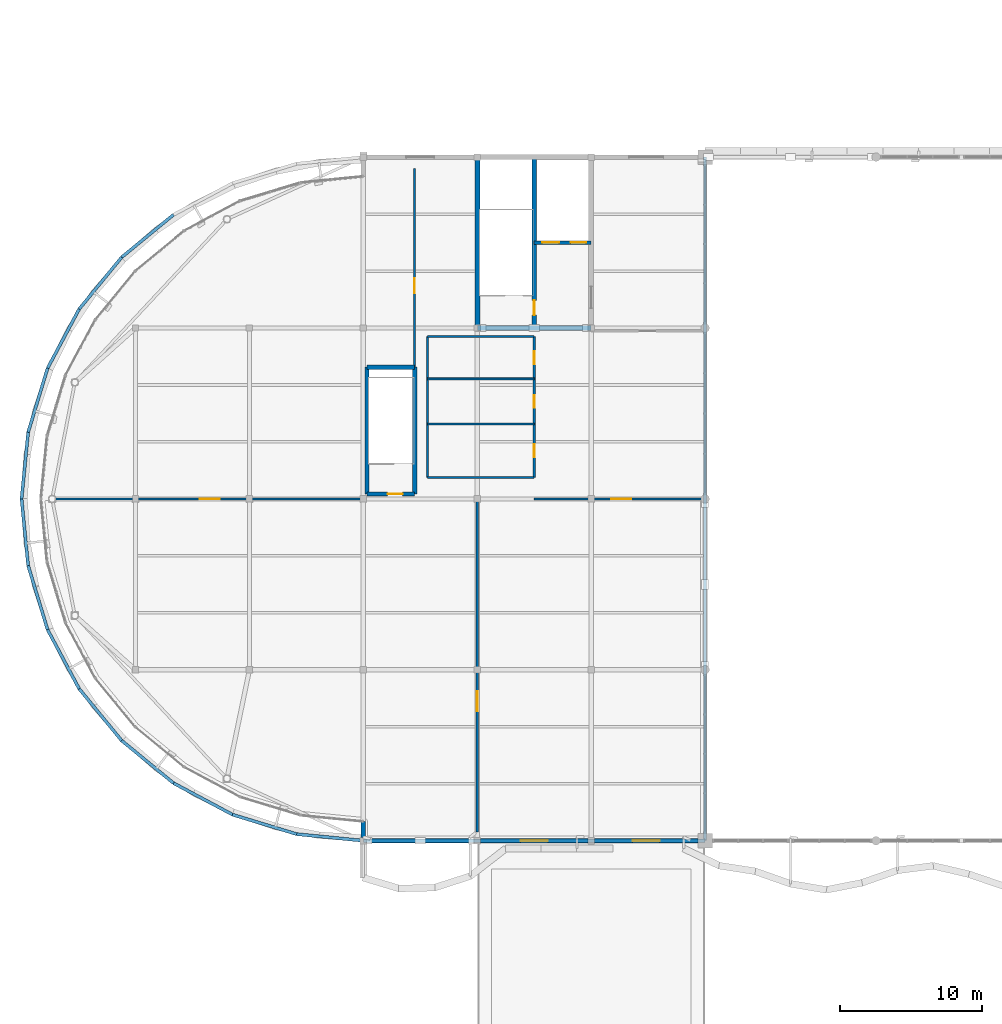
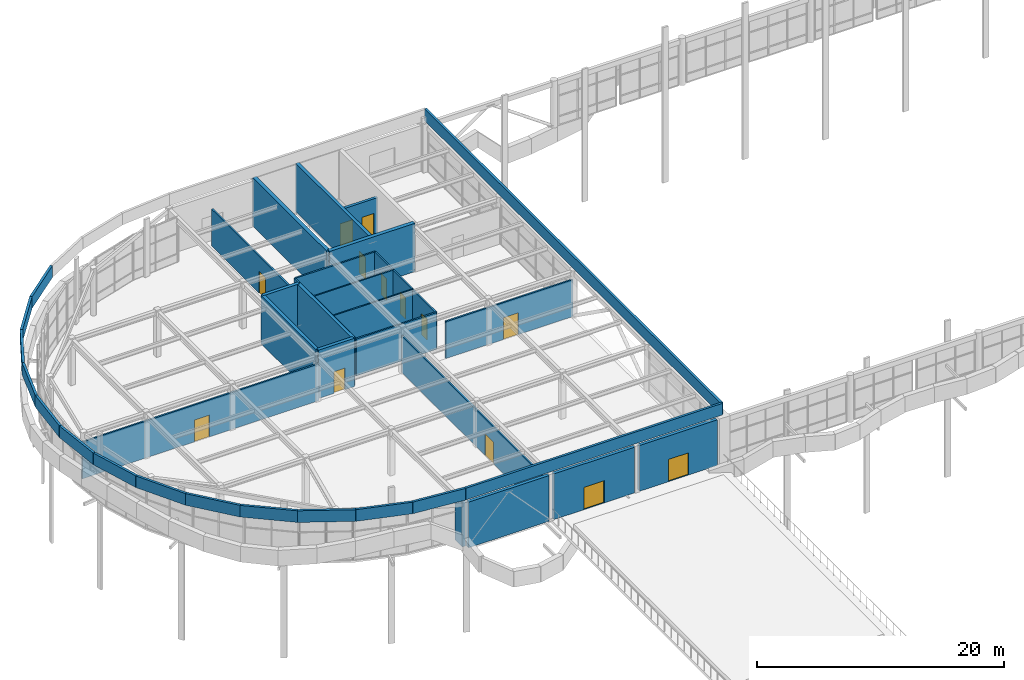
# One storey, part 44 of 63: 37 walls, 13 doors, 13 openings.
"""IFC4 building model written with IfcOpenShell, lengths in metres."""

from ifc_helpers import new_model, si_unit, direction, frame, frame_2d, origin, place, context, subcontext, project, spatial, rectangle, extrude, material, layer, layer_set, type_object, element, fill, save


model = new_model("IFC4")

# Units and contexts
model_context = context("Model", 3, precision=1e-05, world=origin(), true_north=direction((0.0, 1.0)))
body_context = subcontext(model_context, "Body", "Model", "MODEL_VIEW")
ifc_project = project(units=[si_unit("LENGTHUNIT", "METRE"), si_unit("AREAUNIT", "SQUARE_METRE"), si_unit("VOLUMEUNIT", "CUBIC_METRE"), si_unit("PLANEANGLEUNIT", "RADIAN"), si_unit("MASSUNIT", "GRAM", prefix="KILO")], contexts=[model_context])

# Site, building, storey
site_placement = place(None, origin())
site = spatial("IfcSite", under=ifc_project, at=site_placement, CompositionType="ELEMENT")
building_placement = place(site_placement, origin())
building = spatial("IfcBuilding", under=site, at=building_placement, Name="Keelwater Ferry Terminal", CompositionType="ELEMENT")
storey_placement = place(building_placement, frame((0.0, 0.0, 10.199951171875)))
storey = spatial("IfcBuildingStorey", under=building, at=storey_placement, Name="L02", CompositionType="ELEMENT", Elevation=10.199951171875)

# Walls
ifc_material_1 = material(Name="Precast concrete C40/50", Category="concrete")
ifc_layer_1 = layer(ifc_material_1, 0.300048828125)
ifc_layer_set_1 = layer_set([ifc_layer_1], Name="Precast concrete C40/50")
wall_type_1 = type_object("IfcWallType", Name="EW-PC300 External Solid Wall 300", PredefinedType="SOLIDWALL", material=ifc_layer_set_1)
wall_1_placement = place(storey_placement, frame((24.0, 43.35009765625, 0.0), z_axis=(0.0, 0.0, 1.0), x_axis=(0.0, -1.0, 0.0)))
element("IfcWall", 1, at=wall_1_placement, inside=storey, type_object=wall_type_1, Name="External Wall WL-L02-0026", PredefinedType="SOLIDWALL", context=body_context, shape_type="SweptSolid", body=[
    extrude(rectangle(XDim=1.125, YDim=0.300048828125, at=frame_2d((0.5625, 0.0))), origin(), (0.0, 0.0, 1.0), 4.52001953125),
])
wall_2_placement = place(storey_placement, frame((31.77490234375, 42.0, 0.0), z_axis=(0.0, 0.0, 1.0), x_axis=(-1.0, 0.0, 0.0)))
element("IfcWall", 2, at=wall_2_placement, inside=storey, type_object=wall_type_1, Name="External Wall WL-L02-0065", PredefinedType="SOLIDWALL", context=body_context, shape_type="SweptSolid", body=[
    extrude(rectangle(XDim=7.5498046875, YDim=0.300048828125, at=frame_2d((3.77490234375, 0.0))), origin(), (0.0, 0.0, 1.0), 4.52001953125),
])

# Wall, opening, door
wall_3_placement = place(storey_placement, frame((39.77490234375, 42.0, 0.0), z_axis=(0.0, 0.0, 1.0), x_axis=(-1.0, 0.0, 0.0)))
wall_3 = element("IfcWall", 3, at=wall_3_placement, inside=storey, type_object=wall_type_1, Name="External Wall WL-L02-0067", PredefinedType="SOLIDWALL", context=body_context, shape_type="SweptSolid", body=[
    extrude(rectangle(XDim=7.5498046875, YDim=0.300048828125, at=frame_2d((3.77490234375, 0.0))), origin(), (0.0, 0.0, 1.0), 4.52001953125),
])
opening_1_placement = place(wall_3_placement, frame((2.824951171875, 0.0, 0.0)))
opening_1 = element("IfcOpeningElement", 4, at=opening_1_placement, cuts=wall_3, Name="Opening TD-03", PredefinedType="OPENING", context=body_context, shape_type="SweptSolid", body=[
    extrude(rectangle(XDim=1.89990234375, YDim=2.199951171875, at=frame_2d((0.949951171875, 1.10009765625))), frame((0.0, 0.159912109375, 0.0), z_axis=(0.0, -1.0, 0.0), x_axis=(1.0, 0.0, 0.0)), (0.0, 0.0, 1.0), 0.320068359375),
])
ifc_material_2 = material(Name="Anodised aluminium and laminated safety glass", Category="aluminium")
door_type_1 = type_object("IfcDoorType", Name="TD-T1 Pedestrian Door 1900x2200", OperationType="DOUBLE_DOOR_SINGLE_SWING", PredefinedType="DOOR", material=ifc_material_2)
door_1_placement = place(opening_1_placement, origin())
door_1 = element("IfcDoor", 5, at=door_1_placement, inside=storey, type_object=door_type_1, Name="Door TD-03", OperationType="DOUBLE_DOOR_SINGLE_SWING", OverallHeight=2.199951171875, OverallWidth=1.89990234375, PredefinedType="DOOR", context=body_context, shape_type="SweptSolid", body=[
    extrude(rectangle(XDim=1.89990234375, YDim=2.199951171875, at=frame_2d((0.949951171875, 1.10009765625))), frame((0.0, 0.02490234375, 0.0), z_axis=(0.0, -1.0, 0.0), x_axis=(1.0, 0.0, 0.0)), (0.0, 0.0, 1.0), 0.050048828125),
])
fill(opening_1, door_1)

wall_4_placement = place(storey_placement, frame((47.5, 42.0, 0.0), z_axis=(0.0, 0.0, 1.0), x_axis=(-1.0, 0.0, 0.0)))
wall_4 = element("IfcWall", 6, at=wall_4_placement, inside=storey, type_object=wall_type_1, Name="External Wall WL-L02-0068", PredefinedType="SOLIDWALL", context=body_context, shape_type="SweptSolid", body=[
    extrude(rectangle(XDim=7.27490234375, YDim=0.300048828125, at=frame_2d((3.637451171875, 0.0))), origin(), (0.0, 0.0, 1.0), 4.52001953125),
])
opening_2_placement = place(wall_4_placement, frame((2.68701171875, 0.0, 0.0)))
opening_2 = element("IfcOpeningElement", 7, at=opening_2_placement, cuts=wall_4, Name="Opening TD-04", PredefinedType="OPENING", context=body_context, shape_type="SweptSolid", body=[
    extrude(rectangle(XDim=1.89990234375, YDim=2.199951171875, at=frame_2d((0.949951171875, 1.10009765625))), frame((0.0, 0.159912109375, 0.0), z_axis=(0.0, -1.0, 0.0), x_axis=(1.0, 0.0, 0.0)), (0.0, 0.0, 1.0), 0.320068359375),
])
door_2_placement = place(opening_2_placement, origin())
door_2 = element("IfcDoor", 8, at=door_2_placement, inside=storey, type_object=door_type_1, Name="Door TD-04", OperationType="DOUBLE_DOOR_SINGLE_SWING", OverallHeight=2.199951171875, OverallWidth=1.89990234375, PredefinedType="DOOR", context=body_context, shape_type="SweptSolid", body=[
    extrude(rectangle(XDim=1.89990234375, YDim=2.199951171875, at=frame_2d((0.949951171875, 1.10009765625))), frame((0.0, 0.02490234375, 0.0), z_axis=(0.0, -1.0, 0.0), x_axis=(1.0, 0.0, 0.0)), (0.0, 0.0, 1.0), 0.050048828125),
])
fill(opening_2, door_2)

# Wall, openings, doors
ifc_material_3 = material(Name="Concrete C40/50", Category="concrete")
ifc_layer_2 = layer(ifc_material_3, 0.25)
ifc_layer_set_2 = layer_set([ifc_layer_2], Name="Concrete C40/50")
wall_type_2 = type_object("IfcWallType", Name="IW-250 Solid Wall 250", PredefinedType="SOLIDWALL", material=ifc_layer_set_2)
wall_5_placement = place(storey_placement, frame((40.0, 84.0, 0.0), z_axis=(0.0, 0.0, 1.0), x_axis=(-1.0, 0.0, 0.0)))
wall_5 = element("IfcWall", 9, at=wall_5_placement, inside=storey, type_object=wall_type_2, Name="Interior Wall WL-INT-L02-0018", PredefinedType="SOLIDWALL", context=body_context, shape_type="SweptSolid", body=[
    extrude(rectangle(XDim=4.0, YDim=0.25, at=frame_2d((2.0, 0.0))), origin(), (0.0, 0.0, 1.0), 3.650146484375),
])
opening_3_placement = place(wall_5_placement, frame((0.35009765625, 0.0, 0.0)))
opening_3 = element("IfcOpeningElement", 10, at=opening_3_placement, cuts=wall_5, Name="Opening LD-005", PredefinedType="OPENING", context=body_context, shape_type="SweptSolid", body=[
    extrude(rectangle(XDim=1.10009765625, YDim=2.199951171875, at=frame_2d((0.550048828125, 1.10009765625))), frame((0.0, 0.135009765625, 0.0), z_axis=(0.0, -1.0, 0.0), x_axis=(1.0, 0.0, 0.0)), (0.0, 0.0, 1.0), 0.27001953125),
])
opening_4_placement = place(wall_5_placement, frame((2.25, 0.0, 0.0)))
opening_4 = element("IfcOpeningElement", 11, at=opening_4_placement, cuts=wall_5, Name="Opening LD-006", PredefinedType="OPENING", context=body_context, shape_type="SweptSolid", body=[
    extrude(rectangle(XDim=1.199951171875, YDim=2.199951171875, at=frame_2d((0.60009765625, 1.10009765625))), frame((0.0, 0.135009765625, 0.0), z_axis=(0.0, -1.0, 0.0), x_axis=(1.0, 0.0, 0.0)), (0.0, 0.0, 1.0), 0.27001953125),
])
ifc_material_4 = material(Name="Stainless steel sliding landing doors", Category="steel")
door_type_2 = type_object("IfcDoorType", Name="LD-T1 Lift Landing Door 1100x2200", OperationType="SLIDING_TO_LEFT", PredefinedType="USERDEFINED", material=ifc_material_4)
door_3_placement = place(opening_3_placement, origin())
door_3 = element("IfcDoor", 12, at=door_3_placement, inside=storey, type_object=door_type_2, Name="Door LD-005", ObjectType="LANDING DOOR", OperationType="SLIDING_TO_LEFT", OverallHeight=2.199951171875, OverallWidth=1.10009765625, PredefinedType="USERDEFINED", context=body_context, shape_type="SweptSolid", body=[
    extrude(rectangle(XDim=1.10009765625, YDim=2.199951171875, at=frame_2d((0.550048828125, 1.10009765625))), frame((0.0, 0.02490234375, 0.0), z_axis=(0.0, -1.0, 0.0), x_axis=(1.0, 0.0, 0.0)), (0.0, 0.0, 1.0), 0.050048828125),
])
fill(opening_3, door_3)
ifc_material_5 = material(Name="Stainless steel sliding landing doors", Category="steel")
door_type_3 = type_object("IfcDoorType", Name="LD-T2 Lift Landing Door 1200x2200", OperationType="DOUBLE_DOOR_SLIDING", PredefinedType="USERDEFINED", material=ifc_material_5)
door_4_placement = place(opening_4_placement, origin())
door_4 = element("IfcDoor", 13, at=door_4_placement, inside=storey, type_object=door_type_3, Name="Door LD-006", ObjectType="LANDING DOOR", OperationType="DOUBLE_DOOR_SLIDING", OverallHeight=2.199951171875, OverallWidth=1.199951171875, PredefinedType="USERDEFINED", context=body_context, shape_type="SweptSolid", body=[
    extrude(rectangle(XDim=1.199951171875, YDim=2.199951171875, at=frame_2d((0.60009765625, 1.10009765625))), frame((0.0, 0.02490234375, 0.0), z_axis=(0.0, -1.0, 0.0), x_axis=(1.0, 0.0, 0.0)), (0.0, 0.0, 1.0), 0.050048828125),
])
fill(opening_4, door_4)

# Walls
ifc_material_6 = material(Name="Gypsum board on acoustic steel stud", Category="steel")
ifc_layer_3 = layer(ifc_material_6, 0.125)
ifc_layer_set_3 = layer_set([ifc_layer_3], Name="Gypsum board on acoustic steel stud")
wall_type_3 = type_object("IfcWallType", Name="PT-125 Partition Wall 125", PredefinedType="PARTITIONING", material=ifc_layer_set_3)
for number, where, z_axis, x_axis, name in (
    (14, (28.5, 71.261962890625, 0.0), (0.0, 0.0, 1.0), (1.0, 0.0, 0.0), "Interior Wall WL-INT-L02-0164"),
    (15, (28.5, 74.429931640625, 0.0), (0.0, 0.0, 1.0), (1.0, 0.0, 0.0), "Interior Wall WL-INT-L02-0165"),
):
    element("IfcWall", number, at=place(storey_placement, frame(where, z_axis=z_axis, x_axis=x_axis)), inside=storey, type_object=wall_type_3, Name=name, PredefinedType="PARTITIONING", context=body_context, shape_type="SweptSolid", body=[
        extrude(rectangle(XDim=7.5, YDim=0.125, at=frame_2d((3.75, 0.0))), origin(), (0.0, 0.0, 1.0), 3.650146484375),
    ])
ifc_material_7 = material(Name="Gypsum board on acoustic steel stud", Category="steel")
ifc_layer_4 = layer(ifc_material_7, 0.14990234375)
ifc_layer_set_4 = layer_set([ifc_layer_4], Name="Gypsum board on acoustic steel stud")
wall_type_4 = type_object("IfcWallType", Name="PT-150 Partition Wall 150", PredefinedType="PARTITIONING", material=ifc_layer_set_4)
wall_6_placement = place(storey_placement, frame((28.5, 67.5, 0.0), z_axis=(0.0, 0.0, 1.0), x_axis=(0.0, 1.0, 0.0)))
element("IfcWall", 16, at=wall_6_placement, inside=storey, type_object=wall_type_4, Name="Interior Wall WL-INT-L02-0160", PredefinedType="PARTITIONING", context=body_context, shape_type="SweptSolid", body=[
    extrude(rectangle(XDim=9.89990234375, YDim=0.14990234375, at=frame_2d((4.949951171875, 0.0))), origin(), (0.0, 0.0, 1.0), 3.650146484375),
])

# Wall, openings, doors
wall_7_placement = place(storey_placement, frame((36.0, 67.5, 0.0), z_axis=(0.0, 0.0, 1.0), x_axis=(0.0, 1.0, 0.0)))
wall_7 = element("IfcWall", 17, at=wall_7_placement, inside=storey, type_object=wall_type_4, Name="Interior Wall WL-INT-L02-0161", PredefinedType="PARTITIONING", context=body_context, shape_type="SweptSolid", body=[
    extrude(rectangle(XDim=9.89990234375, YDim=0.14990234375, at=frame_2d((4.949951171875, 0.0))), origin(), (0.0, 0.0, 1.0), 3.650146484375),
])
opening_5_placement = place(wall_7_placement, frame((1.430908203125, 0.0, 0.0)))
opening_5 = element("IfcOpeningElement", 18, at=opening_5_placement, cuts=wall_7, Name="Opening WD-007", PredefinedType="OPENING", context=body_context, shape_type="SweptSolid", body=[
    extrude(rectangle(XDim=0.89990234375, YDim=2.10009765625, at=frame_2d((0.449951171875, 1.050048828125))), frame((0.0, 0.0849609375, 0.0), z_axis=(0.0, -1.0, 0.0), x_axis=(1.0, 0.0, 0.0)), (0.0, 0.0, 1.0), 0.169921875),
])
opening_6_placement = place(wall_7_placement, frame((4.89599609375, 0.0, 0.0)))
opening_6 = element("IfcOpeningElement", 19, at=opening_6_placement, cuts=wall_7, Name="Opening WD-008", PredefinedType="OPENING", context=body_context, shape_type="SweptSolid", body=[
    extrude(rectangle(XDim=0.89990234375, YDim=2.10009765625, at=frame_2d((0.449951171875, 1.050048828125))), frame((0.0, 0.0849609375, 0.0), z_axis=(0.0, -1.0, 0.0), x_axis=(1.0, 0.0, 0.0)), (0.0, 0.0, 1.0), 0.169921875),
])
opening_7_placement = place(wall_7_placement, frame((7.955078125, 0.0, 0.0)))
opening_7 = element("IfcOpeningElement", 20, at=opening_7_placement, cuts=wall_7, Name="Opening WD-009", PredefinedType="OPENING", context=body_context, shape_type="SweptSolid", body=[
    extrude(rectangle(XDim=0.919921875, YDim=2.10009765625, at=frame_2d((0.4599609375, 1.050048828125))), frame((0.0, 0.0849609375, 0.0), z_axis=(0.0, -1.0, 0.0), x_axis=(1.0, 0.0, 0.0)), (0.0, 0.0, 1.0), 0.169921875),
])
ifc_material_8 = material(Name="Acoustic oak and fire-rated steel frame door", Category="steel")
door_type_4 = type_object("IfcDoorType", Name="ID-09 Pedestrian Door 920x2100", OperationType="NOTDEFINED", PredefinedType="DOOR", material=ifc_material_8)
door_5_placement = place(opening_7_placement, origin())
door_5 = element("IfcDoor", 21, at=door_5_placement, inside=storey, type_object=door_type_4, Name="Door WD-009", OperationType="SINGLE_SWING_LEFT", OverallHeight=2.10009765625, OverallWidth=0.919921875, PredefinedType="DOOR", context=body_context, shape_type="SweptSolid", body=[
    extrude(rectangle(XDim=0.919921875, YDim=2.10009765625, at=frame_2d((0.4599609375, 1.050048828125))), frame((0.0, 0.02490234375, 0.0), z_axis=(0.0, -1.0, 0.0), x_axis=(1.0, 0.0, 0.0)), (0.0, 0.0, 1.0), 0.050048828125),
])
fill(opening_7, door_5)
ifc_material_9 = material(Name="Acoustic oak and fire-rated steel frame door", Category="steel")
door_type_5 = type_object("IfcDoorType", Name="ID-10 Pedestrian Door 900x2100", OperationType="NOTDEFINED", PredefinedType="DOOR", material=ifc_material_9)
door_6_placement = place(opening_5_placement, origin())
door_6 = element("IfcDoor", 22, at=door_6_placement, inside=storey, type_object=door_type_5, Name="Door WD-007", OperationType="SINGLE_SWING_LEFT", OverallHeight=2.10009765625, OverallWidth=0.89990234375, PredefinedType="DOOR", context=body_context, shape_type="SweptSolid", body=[
    extrude(rectangle(XDim=0.89990234375, YDim=2.10009765625, at=frame_2d((0.449951171875, 1.050048828125))), frame((0.0, 0.02490234375, 0.0), z_axis=(0.0, -1.0, 0.0), x_axis=(1.0, 0.0, 0.0)), (0.0, 0.0, 1.0), 0.050048828125),
])
fill(opening_5, door_6)
door_7_placement = place(opening_6_placement, origin())
door_7 = element("IfcDoor", 23, at=door_7_placement, inside=storey, type_object=door_type_5, Name="Door WD-008", OperationType="SINGLE_SWING_RIGHT", OverallHeight=2.10009765625, OverallWidth=0.89990234375, PredefinedType="DOOR", context=body_context, shape_type="SweptSolid", body=[
    extrude(rectangle(XDim=0.89990234375, YDim=2.10009765625, at=frame_2d((0.449951171875, 1.050048828125))), frame((0.0, 0.02490234375, 0.0), z_axis=(0.0, -1.0, 0.0), x_axis=(1.0, 0.0, 0.0)), (0.0, 0.0, 1.0), 0.050048828125),
])
fill(opening_6, door_7)

# Walls
for number, where, z_axis, x_axis, name in (
    (24, (28.5, 77.39990234375, 0.0), (0.0, 0.0, 1.0), (1.0, 0.0, 0.0), "Interior Wall WL-INT-L02-0162"),
    (25, (28.5, 67.5, 0.0), (0.0, 0.0, 1.0), (1.0, 0.0, 0.0), "Interior Wall WL-INT-L02-0163"),
):
    element("IfcWall", number, at=place(storey_placement, frame(where, z_axis=z_axis, x_axis=x_axis)), inside=storey, type_object=wall_type_4, Name=name, PredefinedType="PARTITIONING", context=body_context, shape_type="SweptSolid", body=[
        extrude(rectangle(XDim=7.5, YDim=0.14990234375, at=frame_2d((3.75, 0.0))), origin(), (0.0, 0.0, 1.0), 3.650146484375),
    ])

# Wall, opening, door
wall_8_placement = place(storey_placement, frame((32.0, 42.60009765625, 0.0), z_axis=(0.0, 0.0, 1.0), x_axis=(0.0, 1.0, 0.0)))
wall_8 = element("IfcWall", 26, at=wall_8_placement, inside=storey, type_object=wall_type_4, Name="Interior Wall WL-INT-L02-0251", PredefinedType="PARTITIONING", context=body_context, shape_type="SweptSolid", body=[
    extrude(rectangle(XDim=23.39990234375, YDim=0.14990234375, at=frame_2d((11.699951171875, 0.0))), origin(), (0.0, 0.0, 1.0), 3.650146484375),
])
opening_8_placement = place(wall_8_placement, frame((8.5, 0.0, 0.0)))
opening_8 = element("IfcOpeningElement", 27, at=opening_8_placement, cuts=wall_8, Name="Opening DR-032", PredefinedType="OPENING", context=body_context, shape_type="SweptSolid", body=[
    extrude(rectangle(XDim=1.39990234375, YDim=2.14990234375, at=frame_2d((0.699951171875, 1.074951171875))), frame((0.0, 0.0849609375, 0.0), z_axis=(0.0, -1.0, 0.0), x_axis=(1.0, 0.0, 0.0)), (0.0, 0.0, 1.0), 0.169921875),
])
ifc_material_10 = material(Name="Acoustic oak and fire-rated steel frame door", Category="steel")
door_type_6 = type_object("IfcDoorType", Name="ID-03 Pedestrian Door 1400x2150", OperationType="DOUBLE_DOOR_SINGLE_SWING", PredefinedType="DOOR", material=ifc_material_10)
door_8_placement = place(opening_8_placement, origin())
door_8 = element("IfcDoor", 28, at=door_8_placement, inside=storey, type_object=door_type_6, Name="Door DR-032", OperationType="DOUBLE_DOOR_SINGLE_SWING", OverallHeight=2.14990234375, OverallWidth=1.39990234375, PredefinedType="DOOR", context=body_context, shape_type="SweptSolid", body=[
    extrude(rectangle(XDim=1.39990234375, YDim=2.14990234375, at=frame_2d((0.699951171875, 1.074951171875))), frame((0.0, 0.02490234375, 0.0), z_axis=(0.0, -1.0, 0.0), x_axis=(1.0, 0.0, 0.0)), (0.0, 0.0, 1.0), 0.050048828125),
])
fill(opening_8, door_8)

wall_9_placement = place(storey_placement, frame((2.0, 66.0, 0.0), z_axis=(0.0, 0.0, 1.0), x_axis=(1.0, 0.0, 0.0)))
wall_9 = element("IfcWall", 29, at=wall_9_placement, inside=storey, type_object=wall_type_4, Name="Interior Wall WL-INT-L02-0252", PredefinedType="PARTITIONING", context=body_context, shape_type="SweptSolid", body=[
    extrude(rectangle(XDim=22.14990234375, YDim=0.14990234375, at=frame_2d((11.074951171875, 0.0))), origin(), (0.0, 0.0, 1.0), 3.650146484375),
])
opening_9_placement = place(wall_9_placement, frame((10.5, 0.0, 0.0)))
opening_9 = element("IfcOpeningElement", 30, at=opening_9_placement, cuts=wall_9, Name="Opening DR-033", PredefinedType="OPENING", context=body_context, shape_type="SweptSolid", body=[
    extrude(rectangle(XDim=1.39990234375, YDim=2.14990234375, at=frame_2d((0.699951171875, 1.074951171875))), frame((0.0, 0.0849609375, 0.0), z_axis=(0.0, -1.0, 0.0), x_axis=(1.0, 0.0, 0.0)), (0.0, 0.0, 1.0), 0.169921875),
])
door_9_placement = place(opening_9_placement, origin())
door_9 = element("IfcDoor", 31, at=door_9_placement, inside=storey, type_object=door_type_6, Name="Door DR-033", OperationType="DOUBLE_DOOR_SINGLE_SWING", OverallHeight=2.14990234375, OverallWidth=1.39990234375, PredefinedType="DOOR", context=body_context, shape_type="SweptSolid", body=[
    extrude(rectangle(XDim=1.39990234375, YDim=2.14990234375, at=frame_2d((0.699951171875, 1.074951171875))), frame((0.0, 0.02490234375, 0.0), z_axis=(0.0, -1.0, 0.0), x_axis=(1.0, 0.0, 0.0)), (0.0, 0.0, 1.0), 0.050048828125),
])
fill(opening_9, door_9)

wall_10_placement = place(storey_placement, frame((27.60009765625, 75.25, 0.0), z_axis=(0.0, 0.0, 1.0), x_axis=(0.0, 1.0, 0.0)))
wall_10 = element("IfcWall", 32, at=wall_10_placement, inside=storey, type_object=wall_type_4, Name="Interior Wall WL-INT-L02-0253", PredefinedType="PARTITIONING", context=body_context, shape_type="SweptSolid", body=[
    extrude(rectangle(XDim=13.949951171875, YDim=0.14990234375, at=frame_2d((6.97509765625, 0.0))), origin(), (0.0, 0.0, 1.0), 3.650146484375),
])
opening_10_placement = place(wall_10_placement, frame((5.199951171875, 0.0, 0.0)))
opening_10 = element("IfcOpeningElement", 33, at=opening_10_placement, cuts=wall_10, Name="Opening DR-034", PredefinedType="OPENING", context=body_context, shape_type="SweptSolid", body=[
    extrude(rectangle(XDim=1.050048828125, YDim=2.14990234375, at=frame_2d((0.52490234375, 1.074951171875))), frame((0.0, 0.0849609375, 0.0), z_axis=(0.0, -1.0, 0.0), x_axis=(1.0, 0.0, 0.0)), (0.0, 0.0, 1.0), 0.169921875),
])
ifc_material_11 = material(Name="Acoustic oak and fire-rated steel frame door", Category="steel")
door_type_7 = type_object("IfcDoorType", Name="ID-06 Pedestrian Door 1050x2150", OperationType="NOTDEFINED", PredefinedType="DOOR", material=ifc_material_11)
door_10_placement = place(opening_10_placement, origin())
door_10 = element("IfcDoor", 34, at=door_10_placement, inside=storey, type_object=door_type_7, Name="Door DR-034", OperationType="SINGLE_SWING_RIGHT", OverallHeight=2.14990234375, OverallWidth=1.050048828125, PredefinedType="DOOR", context=body_context, shape_type="SweptSolid", body=[
    extrude(rectangle(XDim=1.050048828125, YDim=2.14990234375, at=frame_2d((0.52490234375, 1.074951171875))), frame((0.0, 0.02490234375, 0.0), z_axis=(0.0, -1.0, 0.0), x_axis=(1.0, 0.0, 0.0)), (0.0, 0.0, 1.0), 0.050048828125),
])
fill(opening_10, door_10)

wall_11_placement = place(storey_placement, frame((36.0, 66.0, 0.0), z_axis=(0.0, 0.0, 1.0), x_axis=(1.0, 0.0, 0.0)))
wall_11 = element("IfcWall", 35, at=wall_11_placement, inside=storey, type_object=wall_type_4, Name="Interior Wall WL-INT-L02-0255", PredefinedType="PARTITIONING", context=body_context, shape_type="SweptSolid", body=[
    extrude(rectangle(XDim=11.89990234375, YDim=0.14990234375, at=frame_2d((5.949951171875, 0.0))), origin(), (0.0, 0.0, 1.0), 3.650146484375),
])
opening_11_placement = place(wall_11_placement, frame((5.39990234375, 0.0, 0.0)))
opening_11 = element("IfcOpeningElement", 36, at=opening_11_placement, cuts=wall_11, Name="Opening DR-036", PredefinedType="OPENING", context=body_context, shape_type="SweptSolid", body=[
    extrude(rectangle(XDim=1.39990234375, YDim=2.14990234375, at=frame_2d((0.699951171875, 1.074951171875))), frame((0.0, 0.0849609375, 0.0), z_axis=(0.0, -1.0, 0.0), x_axis=(1.0, 0.0, 0.0)), (0.0, 0.0, 1.0), 0.169921875),
])
door_11_placement = place(opening_11_placement, origin())
door_11 = element("IfcDoor", 37, at=door_11_placement, inside=storey, type_object=door_type_6, Name="Door DR-036", OperationType="DOUBLE_DOOR_SINGLE_SWING", OverallHeight=2.14990234375, OverallWidth=1.39990234375, PredefinedType="DOOR", context=body_context, shape_type="SweptSolid", body=[
    extrude(rectangle(XDim=1.39990234375, YDim=2.14990234375, at=frame_2d((0.699951171875, 1.074951171875))), frame((0.0, 0.02490234375, 0.0), z_axis=(0.0, -1.0, 0.0), x_axis=(1.0, 0.0, 0.0)), (0.0, 0.0, 1.0), 0.050048828125),
])
fill(opening_11, door_11)

# Walls
ifc_material_12 = material(Name="Precast concrete C40/50", Category="concrete")
ifc_layer_5 = layer(ifc_material_12, 0.219970703125)
ifc_layer_set_5 = layer_set([ifc_layer_5], Name="Precast concrete C40/50")
wall_type_5 = type_object("IfcWallType", Name="PW-220 Roof Parapet 220", PredefinedType="PARAPET", material=ifc_layer_set_5)
for number, where, z_axis, x_axis, name in (
    (38, (10.666015625, 85.955078125, 4.800048828125), (0.0, 0.0, 1.0), (-0.773077938027, -0.634311044942, 0.0), "Roof Parapet 10"),
    (39, (7.029052734375, 82.970947265625, 4.800048828125), (0.0, 0.0, 1.0), (-0.634311044942, -0.773077938027, 0.0), "Roof Parapet 11"),
):
    element("IfcWall", number, at=place(storey_placement, frame(where, z_axis=z_axis, x_axis=x_axis)), inside=storey, type_object=wall_type_5, Name=name, PredefinedType="PARAPET", context=body_context, shape_type="SweptSolid", body=[
        extrude(rectangle(XDim=4.70458984375, YDim=0.219970703125, at=frame_2d((2.352294921875, 0.0))), origin(), (0.0, 0.0, 1.0), 1.14990234375),
    ])
wall_12_placement = place(storey_placement, frame((4.044921875, 79.333984375, 4.800048828125), z_axis=(0.0, 0.0, 1.0), x_axis=(-0.471371704829, -0.881934643773, 0.0)))
element("IfcWall", 40, at=wall_12_placement, inside=storey, type_object=wall_type_5, Name="Roof Parapet 12", PredefinedType="PARAPET", context=body_context, shape_type="SweptSolid", body=[
    extrude(rectangle(XDim=4.70556640625, YDim=0.219970703125, at=frame_2d((2.352783203125, 0.0))), origin(), (0.0, 0.0, 1.0), 1.14990234375),
])
wall_13_placement = place(storey_placement, frame((1.826904296875, 75.18408203125, 4.800048828125), z_axis=(0.0, 0.0, 1.0), x_axis=(-0.290331426072, -0.956926153386, 0.0)))
element("IfcWall", 41, at=wall_13_placement, inside=storey, type_object=wall_type_5, Name="Roof Parapet 13", PredefinedType="PARAPET", context=body_context, shape_type="SweptSolid", body=[
    extrude(rectangle(XDim=4.704833984375, YDim=0.219970703125, at=frame_2d((2.3525390625, 0.0))), origin(), (0.0, 0.0, 1.0), 1.14990234375),
])
for number, where, z_axis, x_axis, name in (
    (42, (0.4609375, 70.681884765625, 4.800048828125), (0.0, 0.0, 1.0), (-0.097977583466, -0.995188621889, 0.0), "Roof Parapet 14"),
    (43, (0.0, 66.0, 4.800048828125), (0.0, 0.0, 1.0), (0.097977583466, -0.995188621889, 0.0), "Roof Parapet 15"),
):
    element("IfcWall", number, at=place(storey_placement, frame(where, z_axis=z_axis, x_axis=x_axis)), inside=storey, type_object=wall_type_5, Name=name, PredefinedType="PARAPET", context=body_context, shape_type="SweptSolid", body=[
        extrude(rectangle(XDim=4.70458984375, YDim=0.219970703125, at=frame_2d((2.352294921875, 0.0))), origin(), (0.0, 0.0, 1.0), 1.14990234375),
    ])
wall_14_placement = place(storey_placement, frame((0.4609375, 61.318115234375, 4.800048828125), z_axis=(0.0, 0.0, 1.0), x_axis=(0.290331426072, -0.956926153386, 0.0)))
element("IfcWall", 44, at=wall_14_placement, inside=storey, type_object=wall_type_5, Name="Roof Parapet 16", PredefinedType="PARAPET", context=body_context, shape_type="SweptSolid", body=[
    extrude(rectangle(XDim=4.704833984375, YDim=0.219970703125, at=frame_2d((2.3525390625, 0.0))), origin(), (0.0, 0.0, 1.0), 1.14990234375),
])
wall_15_placement = place(storey_placement, frame((1.826904296875, 56.81591796875, 4.800048828125), z_axis=(0.0, 0.0, 1.0), x_axis=(0.471371704829, -0.881934643773, 0.0)))
element("IfcWall", 45, at=wall_15_placement, inside=storey, type_object=wall_type_5, Name="Roof Parapet 17", PredefinedType="PARAPET", context=body_context, shape_type="SweptSolid", body=[
    extrude(rectangle(XDim=4.70556640625, YDim=0.219970703125, at=frame_2d((2.352783203125, 0.0))), origin(), (0.0, 0.0, 1.0), 1.14990234375),
])
for number, where, z_axis, x_axis, name in (
    (46, (4.044921875, 52.666015625, 4.800048828125), (0.0, 0.0, 1.0), (0.634311044942, -0.773077938027, 0.0), "Roof Parapet 18"),
    (47, (7.029052734375, 49.029052734375, 4.800048828125), (0.0, 0.0, 1.0), (0.773077938027, -0.634311044942, 0.0), "Roof Parapet 19"),
):
    element("IfcWall", number, at=place(storey_placement, frame(where, z_axis=z_axis, x_axis=x_axis)), inside=storey, type_object=wall_type_5, Name=name, PredefinedType="PARAPET", context=body_context, shape_type="SweptSolid", body=[
        extrude(rectangle(XDim=4.70458984375, YDim=0.219970703125, at=frame_2d((2.352294921875, 0.0))), origin(), (0.0, 0.0, 1.0), 1.14990234375),
    ])
wall_16_placement = place(storey_placement, frame((10.666015625, 46.044921875, 4.800048828125), z_axis=(0.0, 0.0, 1.0), x_axis=(0.881934643773, -0.471371704829, 0.0)))
element("IfcWall", 48, at=wall_16_placement, inside=storey, type_object=wall_type_5, Name="Roof Parapet 20", PredefinedType="PARAPET", context=body_context, shape_type="SweptSolid", body=[
    extrude(rectangle(XDim=4.70556640625, YDim=0.219970703125, at=frame_2d((2.352783203125, 0.0))), origin(), (0.0, 0.0, 1.0), 1.14990234375),
])
wall_17_placement = place(storey_placement, frame((14.81591796875, 43.826904296875, 4.800048828125), z_axis=(0.0, 0.0, 1.0), x_axis=(0.956926153386, -0.290331426072, 0.0)))
element("IfcWall", 49, at=wall_17_placement, inside=storey, type_object=wall_type_5, Name="Roof Parapet 21", PredefinedType="PARAPET", context=body_context, shape_type="SweptSolid", body=[
    extrude(rectangle(XDim=4.704833984375, YDim=0.219970703125, at=frame_2d((2.3525390625, 0.0))), origin(), (0.0, 0.0, 1.0), 1.14990234375),
])
wall_18_placement = place(storey_placement, frame((19.318115234375, 42.4609375, 4.800048828125), z_axis=(0.0, 0.0, 1.0), x_axis=(0.995188621889, -0.097977583466, 0.0)))
element("IfcWall", 50, at=wall_18_placement, inside=storey, type_object=wall_type_5, Name="Roof Parapet 22", PredefinedType="PARAPET", context=body_context, shape_type="SweptSolid", body=[
    extrude(rectangle(XDim=4.70458984375, YDim=0.219970703125, at=frame_2d((2.352294921875, 0.0))), origin(), (0.0, 0.0, 1.0), 1.14990234375),
])
wall_19_placement = place(storey_placement, frame((24.0, 42.0, 4.800048828125), z_axis=(0.0, 0.0, 1.0), x_axis=(1.0, 0.0, 0.0)))
element("IfcWall", 51, at=wall_19_placement, inside=storey, type_object=wall_type_5, Name="Roof Parapet 23", PredefinedType="PARAPET", context=body_context, shape_type="SweptSolid", body=[
    extrude(rectangle(XDim=24.0, YDim=0.219970703125, at=frame_2d((12.0, 0.0))), origin(), (0.0, 0.0, 1.0), 1.14990234375),
])
wall_20_placement = place(storey_placement, frame((48.0, 42.0, 4.800048828125), z_axis=(0.0, 0.0, 1.0), x_axis=(0.0, 1.0, 0.0)))
element("IfcWall", 52, at=wall_20_placement, inside=storey, type_object=wall_type_5, Name="Roof Parapet 24", PredefinedType="PARAPET", context=body_context, shape_type="SweptSolid", body=[
    extrude(rectangle(XDim=48.0, YDim=0.219970703125, at=frame_2d((24.0, 0.0))), origin(), (0.0, 0.0, 1.0), 1.14990234375),
])

# Wall, opening, door
ifc_material_13 = material(Name="Concrete C45/55", Category="concrete")
ifc_layer_6 = layer(ifc_material_13, 0.300048828125)
ifc_layer_set_6 = layer_set([ifc_layer_6], Name="Concrete C45/55")
wall_type_6 = type_object("IfcWallType", Name="SW-300 Shear Wall 300", PredefinedType="SHEAR", material=ifc_layer_set_6)
wall_21_placement = place(storey_placement, frame((36.0, 90.0, 0.0), z_axis=(0.0, 0.0, 1.0), x_axis=(0.0, -1.0, 0.0)))
wall_21 = element("IfcWall", 53, at=wall_21_placement, inside=storey, type_object=wall_type_6, Name="Interior Wall WL-INT-L02-0017", PredefinedType="SHEAR", context=body_context, shape_type="SweptSolid", body=[
    extrude(rectangle(XDim=12.0, YDim=0.300048828125, at=frame_2d((6.0, 0.0))), origin(), (0.0, 0.0, 1.0), 4.780029296875),
])
opening_12_placement = place(wall_21_placement, frame((10.050048828125, 0.0, 0.0)))
opening_12 = element("IfcOpeningElement", 54, at=opening_12_placement, cuts=wall_21, Name="Opening FD-005", PredefinedType="OPENING", context=body_context, shape_type="SweptSolid", body=[
    extrude(rectangle(XDim=1.050048828125, YDim=2.14990234375, at=frame_2d((0.52490234375, 1.074951171875))), frame((0.0, 0.159912109375, 0.0), z_axis=(0.0, -1.0, 0.0), x_axis=(1.0, 0.0, 0.0)), (0.0, 0.0, 1.0), 0.320068359375),
])
door_12_placement = place(opening_12_placement, origin())
door_12 = element("IfcDoor", 55, at=door_12_placement, inside=storey, type_object=door_type_7, Name="Door FD-005", OperationType="SINGLE_SWING_LEFT", OverallHeight=2.14990234375, OverallWidth=1.050048828125, PredefinedType="DOOR", context=body_context, shape_type="SweptSolid", body=[
    extrude(rectangle(XDim=1.050048828125, YDim=2.14990234375, at=frame_2d((0.52490234375, 1.074951171875))), frame((0.0, 0.02490234375, 0.0), z_axis=(0.0, -1.0, 0.0), x_axis=(1.0, 0.0, 0.0)), (0.0, 0.0, 1.0), 0.050048828125),
])
fill(opening_12, door_12)

wall_22_placement = place(storey_placement, frame((24.25, 66.35009765625, 0.0), z_axis=(0.0, 0.0, 1.0), x_axis=(1.0, 0.0, 0.0)))
wall_22 = element("IfcWall", 56, at=wall_22_placement, inside=storey, type_object=wall_type_6, Name="Interior Wall WL-INT-L02-0131", PredefinedType="SHEAR", context=body_context, shape_type="SweptSolid", body=[
    extrude(rectangle(XDim=3.35009765625, YDim=0.300048828125, at=frame_2d((1.675048828125, 0.0))), origin(), (0.0, 0.0, 1.0), 4.780029296875),
])
opening_13_placement = place(wall_22_placement, frame((1.449951171875, 0.0, 0.0)))
opening_13 = element("IfcOpeningElement", 57, at=opening_13_placement, cuts=wall_22, Name="Opening FD-041", PredefinedType="OPENING", context=body_context, shape_type="SweptSolid", body=[
    extrude(rectangle(XDim=1.050048828125, YDim=2.14990234375, at=frame_2d((0.52490234375, 1.074951171875))), frame((0.0, 0.159912109375, 0.0), z_axis=(0.0, -1.0, 0.0), x_axis=(1.0, 0.0, 0.0)), (0.0, 0.0, 1.0), 0.320068359375),
])
door_13_placement = place(opening_13_placement, origin())
door_13 = element("IfcDoor", 58, at=door_13_placement, inside=storey, type_object=door_type_7, Name="Door FD-041", OperationType="SINGLE_SWING_RIGHT", OverallHeight=2.14990234375, OverallWidth=1.050048828125, PredefinedType="DOOR", context=body_context, shape_type="SweptSolid", body=[
    extrude(rectangle(XDim=1.050048828125, YDim=2.14990234375, at=frame_2d((0.52490234375, 1.074951171875))), frame((0.0, 0.02490234375, 0.0), z_axis=(0.0, -1.0, 0.0), x_axis=(1.0, 0.0, 0.0)), (0.0, 0.0, 1.0), 0.050048828125),
])
fill(opening_13, door_13)

# Walls
wall_23_placement = place(storey_placement, frame((24.25, 75.25, 0.0), z_axis=(0.0, 0.0, 1.0), x_axis=(1.0, 0.0, 0.0)))
element("IfcWall", 59, at=wall_23_placement, inside=storey, type_object=wall_type_6, Name="Interior Wall WL-INT-L02-0132", PredefinedType="SHEAR", context=body_context, shape_type="SweptSolid", body=[
    extrude(rectangle(XDim=3.35009765625, YDim=0.300048828125, at=frame_2d((1.675048828125, 0.0))), origin(), (0.0, 0.0, 1.0), 4.780029296875),
])
for number, where, z_axis, x_axis, name in (
    (60, (24.25, 66.35009765625, 0.0), (0.0, 0.0, 1.0), (0.0, 1.0, 0.0), "Interior Wall WL-INT-L02-0133"),
    (61, (27.60009765625, 66.35009765625, 0.0), (0.0, 0.0, 1.0), (0.0, 1.0, 0.0), "Interior Wall WL-INT-L02-0134"),
):
    element("IfcWall", number, at=place(storey_placement, frame(where, z_axis=z_axis, x_axis=x_axis)), inside=storey, type_object=wall_type_6, Name=name, PredefinedType="SHEAR", context=body_context, shape_type="SweptSolid", body=[
        extrude(rectangle(XDim=8.89990234375, YDim=0.300048828125, at=frame_2d((4.449951171875, 0.0))), origin(), (0.0, 0.0, 1.0), 4.780029296875),
    ])
ifc_material_14 = material(Name="Concrete C45/55", Category="concrete")
ifc_layer_7 = layer(ifc_material_14, 0.35009765625)
ifc_layer_set_7 = layer_set([ifc_layer_7], Name="Concrete C45/55")
wall_type_7 = type_object("IfcWallType", Name="SW-350 Shear Wall 350", PredefinedType="SHEAR", material=ifc_layer_set_7)
wall_24_placement = place(storey_placement, frame((32.0, 78.0, 0.0), z_axis=(0.0, 0.0, 1.0), x_axis=(1.0, 0.0, 0.0)))
element("IfcWall", 62, at=wall_24_placement, inside=storey, type_object=wall_type_7, Name="Interior Wall WL-INT-L02-0013", PredefinedType="SHEAR", context=body_context, shape_type="SweptSolid", body=[
    extrude(rectangle(XDim=8.0, YDim=0.35009765625, at=frame_2d((4.0, 0.0))), origin(), (0.0, 0.0, 1.0), 4.780029296875),
])
wall_25_placement = place(storey_placement, frame((32.0, 78.0, 0.0), z_axis=(0.0, 0.0, 1.0), x_axis=(0.0, 1.0, 0.0)))
element("IfcWall", 63, at=wall_25_placement, inside=storey, type_object=wall_type_7, Name="Interior Wall WL-INT-L02-0015", PredefinedType="SHEAR", context=body_context, shape_type="SweptSolid", body=[
    extrude(rectangle(XDim=12.0, YDim=0.35009765625, at=frame_2d((6.0, 0.0))), origin(), (0.0, 0.0, 1.0), 4.780029296875),
])

save(model, "model.ifc")
